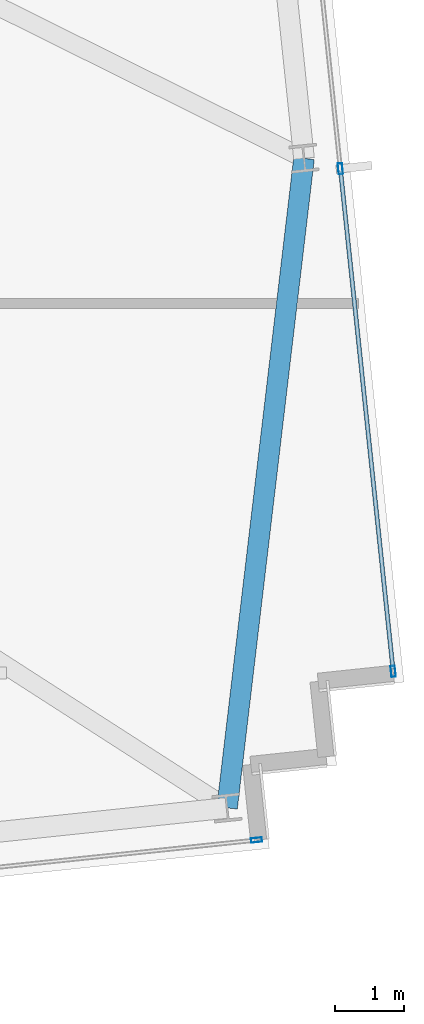
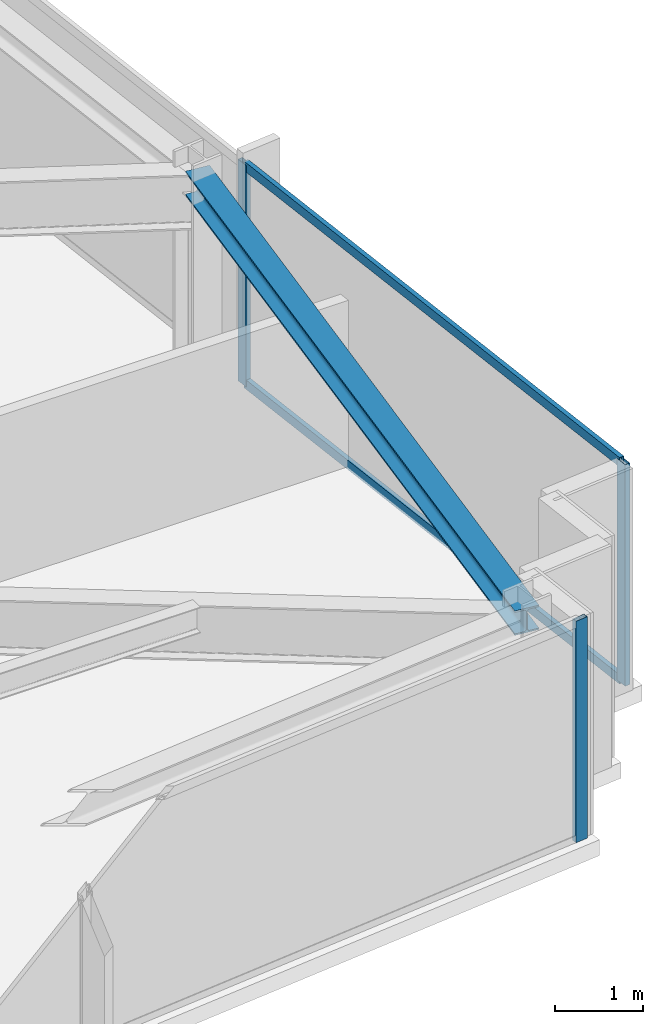
# One storey, part 17 of 33: 5 members, 1 beam, 2 elements without a shape of their own.
"""IFC4 building model written with IfcOpenShell, lengths in metres."""

from ifc_helpers import new_model, si_unit, direction, frame, origin, origin_2d, place, context, subcontext, project, spatial, hollow_rectangle, i_section, extrude, material, material_profile, profile_set, type_object, element, aggregate, save


model = new_model("IFC4")

# Units and contexts
model_context = context("Model", 3, precision=1e-05, world=origin(), true_north=direction((0.0, 1.0)))
body_context = subcontext(model_context, "Body", "Model", "MODEL_VIEW")
ifc_project = project(units=[si_unit("LENGTHUNIT", "METRE"), si_unit("AREAUNIT", "SQUARE_METRE"), si_unit("VOLUMEUNIT", "CUBIC_METRE"), si_unit("PLANEANGLEUNIT", "RADIAN"), si_unit("MASSUNIT", "GRAM", prefix="KILO")], contexts=[model_context])

# Site, building, storey
site_placement = place(None, origin())
site = spatial("IfcSite", under=ifc_project, at=site_placement, CompositionType="ELEMENT")
building_placement = place(site_placement, origin())
building = spatial("IfcBuilding", under=site, at=building_placement, Name="Yelkora Congress Tower", CompositionType="ELEMENT")
storey_placement = place(building_placement, frame((0.0, 0.0, 237.5)))
storey = spatial("IfcBuildingStorey", under=building, at=storey_placement, Name="L66", CompositionType="ELEMENT", Elevation=237.5)

# Beam
ifc_material_1 = material(Name="Steel S355J2", Category="steel")
ifc_material_profile_1 = material_profile(ifc_material_1, i_section(OverallWidth=0.300048828125, OverallDepth=0.340087890625, WebThickness=0.011962890625, FlangeThickness=0.021484375, FilletRadius=0.027099609375, at=origin_2d()), Name="HEB 340")
ifc_profile_set_1 = profile_set([ifc_material_profile_1], Name="Steel S355J2")
beam_type = type_object("IfcBeamType", Name="BM-SPAN-HEB340", PredefinedType="SPANDREL", material=ifc_profile_set_1)
beam_placement = place(storey_placement, frame((69.235107421875, 17.716796875, 2.909912109375), z_axis=(0.11765897357, 0.993054059928, 0.0), x_axis=(-0.993054059928, 0.11765897357, 0.0)))
element("IfcBeam", 1, at=beam_placement, inside=storey, type_object=beam_type, Name="L66 Perimeter Beam 9", PredefinedType="SPANDREL", context=body_context, shape_type="SweptSolid", body=[
    extrude(i_section(OverallWidth=0.300048828125, OverallDepth=0.340087890625, WebThickness=0.011962890625, FlangeThickness=0.021484375, FilletRadius=0.027099609375, at=origin_2d()), origin(), (0.0, 0.0, 1.0), 9.509765625),
])

# Curtain wall, members
ifc_material_2 = material(Name="Anodised aluminium and insulated glass", Category="aluminium")
curtain_wall_type = type_object("IfcCurtainWallType", Name="CW-SYS-B4", PredefinedType="NOTDEFINED", material=ifc_material_2)
curtain_wall_1_placement = place(storey_placement, origin())
curtain_wall_1 = element("IfcCurtainWall", 2, at=curtain_wall_1_placement, inside=storey, type_object=curtain_wall_type, Name="L66 Unitised Curtain Wall 15", PredefinedType="NOTDEFINED")
ifc_material_3 = material(Name="Anodised aluminium 6063-T6", Category="aluminium")
ifc_material_profile_2 = material_profile(ifc_material_3, hollow_rectangle(XDim=0.06494140625, YDim=0.159912109375, WallThickness=0.00390625, at=origin_2d()), Name="ALU 65x160x4")
ifc_profile_set_2 = profile_set([ifc_material_profile_2], Name="Anodised aluminium 6063-T6")
member_type_1 = type_object("IfcMemberType", Name="MEM-ML-B4", PredefinedType="MULLION", material=ifc_profile_set_2)
member_1_placement = place(storey_placement, frame((70.882568359375, 27.009765625, 0.0), z_axis=(0.0, 0.0, 1.0), x_axis=(0.994522182968, 0.104525726898, 0.0)))
member_1 = element("IfcMember", 3, at=member_1_placement, type_object=member_type_1, Name="CW-B4 mullion 4", PredefinedType="MULLION", context=body_context, shape_type="SweptSolid", body=[
    extrude(hollow_rectangle(XDim=0.06494140625, YDim=0.159912109375, WallThickness=0.00390625, at=origin_2d()), origin(), (0.0, 0.0, 1.0), 3.080078125),
])
member_2_placement = place(storey_placement, frame((71.650634765625, 19.70263671875, 0.0), z_axis=(0.0, 0.0, 1.0), x_axis=(0.994522182968, 0.104525726898, 0.0)))
member_2 = element("IfcMember", 4, at=member_2_placement, type_object=member_type_1, Name="CW-B4 mullion 5", PredefinedType="MULLION", context=body_context, shape_type="SweptSolid", body=[
    extrude(hollow_rectangle(XDim=0.06494140625, YDim=0.159912109375, WallThickness=0.00390625, at=origin_2d()), origin(), (0.0, 0.0, 1.0), 3.080078125),
])

# Curtain wall, member
curtain_wall_2_placement = place(storey_placement, origin())
curtain_wall_2 = element("IfcCurtainWall", 5, at=curtain_wall_2_placement, inside=storey, type_object=curtain_wall_type, Name="L66 Unitised Curtain Wall 20", PredefinedType="NOTDEFINED")
member_3_placement = place(storey_placement, frame((69.663818359375, 17.2490234375, 0.0), z_axis=(0.0, 0.0, 1.0), x_axis=(0.104526664994, -0.994522084373, 0.0)))
member_3 = element("IfcMember", 6, at=member_3_placement, type_object=member_type_1, Name="CW-B4 mullion 1", PredefinedType="MULLION", context=body_context, shape_type="SweptSolid", body=[
    extrude(hollow_rectangle(XDim=0.06494140625, YDim=0.159912109375, WallThickness=0.00390625, at=origin_2d()), origin(), (0.0, 0.0, 1.0), 3.080078125),
])
aggregate(curtain_wall_2, [member_3])

# Member
ifc_material_profile_3 = material_profile(ifc_material_3, hollow_rectangle(XDim=0.06005859375, YDim=0.1298828125, WallThickness=0.00390625, at=origin_2d()), Name="ALU 60x130x4")
ifc_profile_set_3 = profile_set([ifc_material_profile_3], Name="Anodised aluminium 6063-T6")
member_type_2 = type_object("IfcMemberType", Name="MEM-TR-B4", PredefinedType="USERDEFINED", material=ifc_profile_set_3)
member_4_placement = place(storey_placement, frame((70.885986328125, 26.9775390625, 0.030029296875), z_axis=(0.104527725728, -0.994521972886, 0.0), x_axis=(0.994521972886, 0.104527725728, 0.0)))
member_4 = element("IfcMember", 7, at=member_4_placement, type_object=member_type_2, Name="CW-B4 transom 4.1", ObjectType="TRANSOM", PredefinedType="USERDEFINED", context=body_context, shape_type="SweptSolid", body=[
    extrude(hollow_rectangle(XDim=0.06005859375, YDim=0.1298828125, WallThickness=0.00390625, at=origin_2d()), origin(), (0.0, 0.0, 1.0), 7.282470703125),
])

member_5_placement = place(storey_placement, frame((70.885986328125, 26.9775390625, 3.050048828125), z_axis=(0.104527725728, -0.994521972886, 0.0), x_axis=(0.994521972886, 0.104527725728, 0.0)))
member_5 = element("IfcMember", 8, at=member_5_placement, type_object=member_type_2, Name="CW-B4 transom 4.2", ObjectType="TRANSOM", PredefinedType="USERDEFINED", context=body_context, shape_type="SweptSolid", body=[
    extrude(hollow_rectangle(XDim=0.06005859375, YDim=0.1298828125, WallThickness=0.00390625, at=origin_2d()), origin(), (0.0, 0.0, 1.0), 7.282470703125),
])

aggregate(curtain_wall_1, [member_1, member_2, member_4, member_5])

save(model, "model.ifc")
